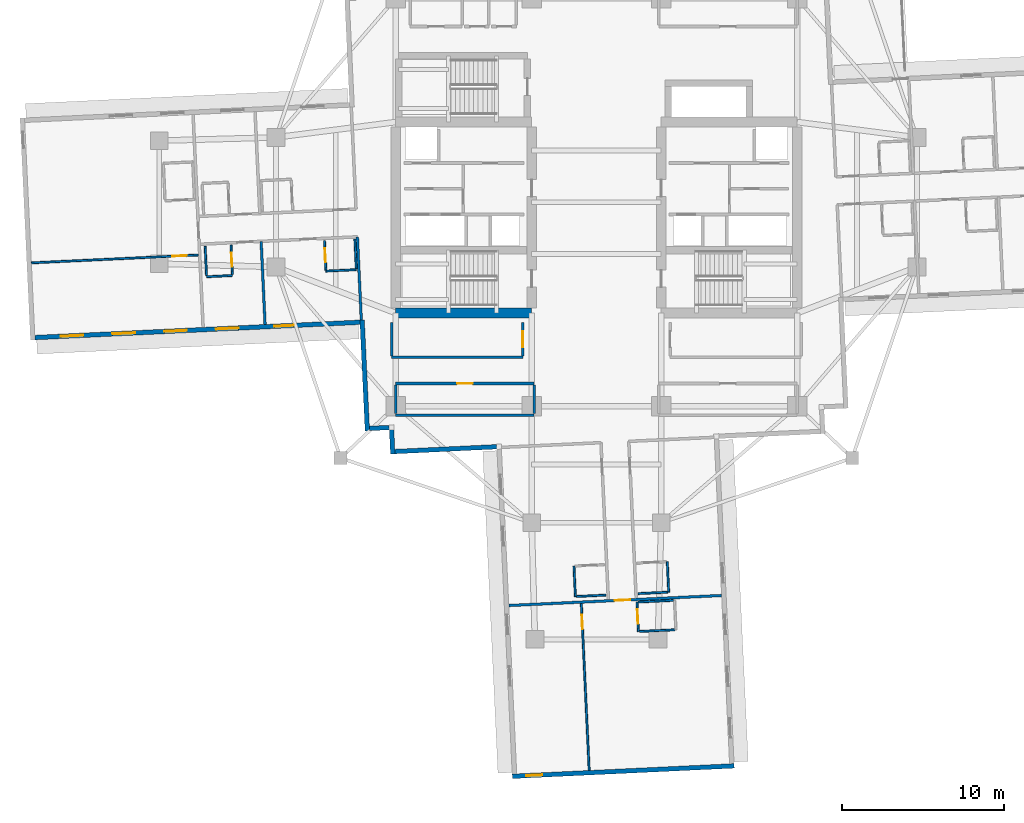
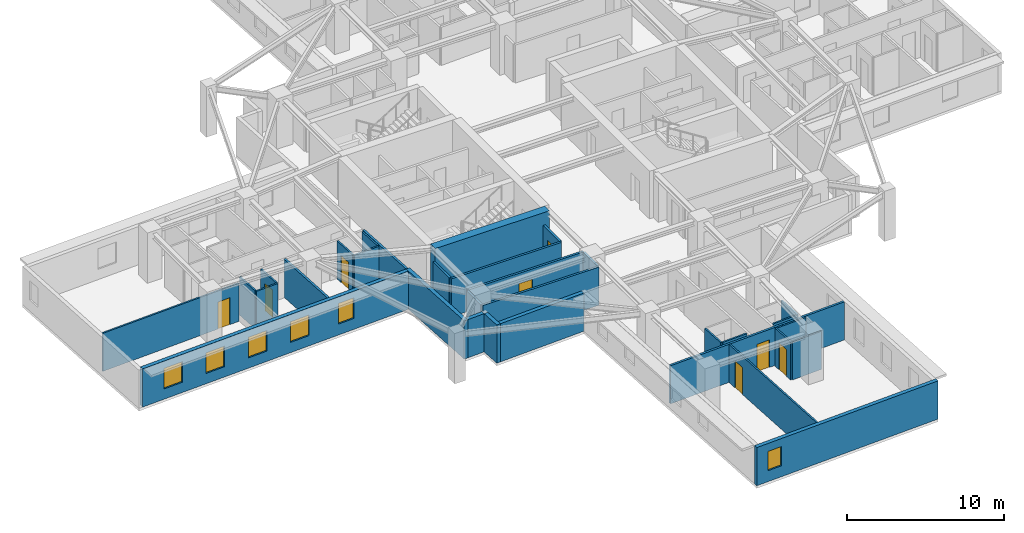
# One storey, part 3 of 14: 32 walls, 8 doors, 6 windows, 14 openings.
"""IFC4 building model written with IfcOpenShell, lengths in metres."""

from ifc_helpers import new_model, si_unit, direction, frame, frame_2d, origin, place, context, subcontext, project, spatial, rectangle, extrude, material, layer, layer_set, type_object, element, fill, save


model = new_model("IFC4")

# Units and contexts
model_context = context("Model", 3, precision=1e-05, world=origin(), true_north=direction((0.0, 1.0)))
body_context = subcontext(model_context, "Body", "Model", "MODEL_VIEW")
ifc_project = project(units=[si_unit("LENGTHUNIT", "METRE"), si_unit("AREAUNIT", "SQUARE_METRE"), si_unit("VOLUMEUNIT", "CUBIC_METRE"), si_unit("PLANEANGLEUNIT", "RADIAN"), si_unit("MASSUNIT", "GRAM", prefix="KILO")], contexts=[model_context])

# Site, building, storey
site_placement = place(None, origin())
site = spatial("IfcSite", under=ifc_project, at=site_placement, CompositionType="ELEMENT")
building_placement = place(site_placement, origin())
building = spatial("IfcBuilding", under=site, at=building_placement, Name="Qingluan Cross Belvedere", CompositionType="ELEMENT")
storey_placement = place(building_placement, frame((0.0, 0.0, 132.0)))
storey = spatial("IfcBuildingStorey", under=building, at=storey_placement, Name="L33", CompositionType="ELEMENT", Elevation=132.0)

# Walls
ifc_material_1 = material(Name="Concrete C60", Category="concrete")
ifc_layer_1 = layer(ifc_material_1, 0.60009765625, Name="CoreShearWall_600")
ifc_layer_set_1 = layer_set([ifc_layer_1], Name="Concrete C60")
wall_type_1 = type_object("IfcWallType", Name="CoreShearWall_600", PredefinedType="SHEAR", material=ifc_layer_set_1)
wall_1_placement = place(storey_placement, frame((-12.39990234375, -6.85009765625, 0.0), z_axis=(0.0, 0.0, 1.0), x_axis=(1.0, 0.0, 0.0)))
element("IfcWall", 1, at=wall_1_placement, inside=storey, type_object=wall_type_1, Name="Split core W shear wall L33-S", PredefinedType="SHEAR", context=body_context, shape_type="SweptSolid", body=[
    extrude(rectangle(XDim=8.39990234375, YDim=0.60009765625, at=frame_2d((4.199951171875, 0.0))), origin(), (0.0, 0.0, 1.0), 3.699951171875),
])
ifc_material_2 = material(Name="Gypsum plasterboard on steel stud acoustic partition", Category="steel")
ifc_layer_2 = layer(ifc_material_2, 0.159912109375, Name="CorridorPartition_160")
ifc_layer_set_2 = layer_set([ifc_layer_2], Name="Gypsum plasterboard on steel stud acoustic partition")
wall_type_2 = type_object("IfcWallType", Name="CorridorPartition_160", PredefinedType="PARTITIONING", material=ifc_layer_set_2)
wall_2_placement = place(storey_placement, frame((-12.39990234375, -13.14990234375, 0.0), z_axis=(0.0, 0.0, 1.0), x_axis=(1.0, 0.0, 0.0)))
element("IfcWall", 2, at=wall_2_placement, inside=storey, type_object=wall_type_2, Name="Partition L33:q_sw:S", PredefinedType="PARTITIONING", context=body_context, shape_type="SweptSolid", body=[
    extrude(rectangle(XDim=8.5498046875, YDim=0.159912109375, at=frame_2d((4.27490234375, 0.0))), origin(), (0.0, 0.0, 1.0), 2.9599609375),
])

# Wall, opening, door
wall_3_placement = place(storey_placement, frame((-12.39990234375, -11.199951171875, 0.0), z_axis=(0.0, 0.0, 1.0), x_axis=(1.0, 0.0, 0.0)))
wall_3 = element("IfcWall", 3, at=wall_3_placement, inside=storey, type_object=wall_type_2, Name="Partition L33:q_sw:N", PredefinedType="PARTITIONING", context=body_context, shape_type="SweptSolid", body=[
    extrude(rectangle(XDim=8.5498046875, YDim=0.159912109375, at=frame_2d((4.27490234375, 0.0))), origin(), (0.0, 0.0, 1.0), 2.9599609375),
])
opening_1_placement = place(wall_3_placement, frame((3.794921875, 0.0, 0.0)))
opening_1 = element("IfcOpeningElement", 4, at=opening_1_placement, cuts=wall_3, Name="Opening GD-10", PredefinedType="OPENING", context=body_context, shape_type="SweptSolid", body=[
    extrude(rectangle(XDim=0.9599609375, YDim=2.14990234375, at=frame_2d((0.47998046875, 1.074951171875))), frame((0.0, 0.08984375, 0.0), z_axis=(0.0, -1.0, 0.0), x_axis=(1.0, 0.0, 0.0)), (0.0, 0.0, 1.0), 0.179931640625),
])
ifc_material_3 = material(Name="Timber oak fire-rated acoustic guestroom door", Category="wood")
door_type_1 = type_object("IfcDoorType", Name="GuestEntryDoor_FD60", OperationType="NOTDEFINED", PredefinedType="DOOR", material=ifc_material_3)
door_1_placement = place(opening_1_placement, origin())
door_1 = element("IfcDoor", 5, at=door_1_placement, inside=storey, type_object=door_type_1, Name="Aromatherapy spa room L33 door", OperationType="SINGLE_SWING_RIGHT", OverallHeight=2.14990234375, OverallWidth=0.9599609375, PredefinedType="DOOR", context=body_context, shape_type="SweptSolid", body=[
    extrude(rectangle(XDim=0.9599609375, YDim=2.14990234375, at=frame_2d((0.47998046875, 1.074951171875))), frame((0.0, 0.02490234375, 0.0), z_axis=(0.0, -1.0, 0.0), x_axis=(1.0, 0.0, 0.0)), (0.0, 0.0, 1.0), 0.050048828125),
])
fill(opening_1, door_1)

# Walls
for number, where, z_axis, x_axis, name in (
    (6, (-12.39990234375, -13.06494140625, 0.0), (0.0, 0.0, 1.0), (0.0, 1.0, 0.0), "Partition L33:q_sw:W"),
    (7, (-3.85009765625, -13.06494140625, 0.0), (0.0, 0.0, 1.0), (0.0, 1.0, 0.0), "Partition L33:q_sw:E"),
):
    element("IfcWall", number, at=place(storey_placement, frame(where, z_axis=z_axis, x_axis=x_axis)), inside=storey, type_object=wall_type_2, Name=name, PredefinedType="PARTITIONING", context=body_context, shape_type="SweptSolid", body=[
        extrude(rectangle(XDim=1.780029296875, YDim=0.159912109375, at=frame_2d((0.89013671875, 0.0))), origin(), (0.0, 0.0, 1.0), 2.9599609375),
    ])
wall_4_placement = place(storey_placement, frame((-12.64990234375, -9.580078125, 0.0), z_axis=(0.0, 0.0, 1.0), x_axis=(1.0, 0.0, 0.0)))
element("IfcWall", 8, at=wall_4_placement, inside=storey, type_object=wall_type_2, Name="Partition L33:rec_st4_w:S", PredefinedType="PARTITIONING", context=body_context, shape_type="SweptSolid", body=[
    extrude(rectangle(XDim=8.099853515625, YDim=0.159912109375, at=frame_2d((4.0498046875, 0.0))), origin(), (0.0, 0.0, 1.0), 2.9599609375),
])
wall_5_placement = place(storey_placement, frame((-12.64990234375, -9.4951171875, 0.0), z_axis=(0.0, 0.0, 1.0), x_axis=(0.0, 1.0, 0.0)))
element("IfcWall", 9, at=wall_5_placement, inside=storey, type_object=wall_type_2, Name="Partition L33:rec_st4_w:W", PredefinedType="PARTITIONING", context=body_context, shape_type="SweptSolid", body=[
    extrude(rectangle(XDim=2.06005859375, YDim=0.159912109375, at=frame_2d((1.030029296875, 0.0))), origin(), (0.0, 0.0, 1.0), 2.9599609375),
])

# Wall, opening, door
wall_6_placement = place(storey_placement, frame((-4.550048828125, -9.4951171875, 0.0), z_axis=(0.0, 0.0, 1.0), x_axis=(0.0, 1.0, 0.0)))
wall_6 = element("IfcWall", 10, at=wall_6_placement, inside=storey, type_object=wall_type_2, Name="Partition L33:rec_st4_w:E", PredefinedType="PARTITIONING", context=body_context, shape_type="SweptSolid", body=[
    extrude(rectangle(XDim=2.06005859375, YDim=0.159912109375, at=frame_2d((1.030029296875, 0.0))), origin(), (0.0, 0.0, 1.0), 2.9599609375),
])
opening_2_placement = place(wall_6_placement, frame((0.550048828125, 0.0, 0.0)))
opening_2 = element("IfcOpeningElement", 11, at=opening_2_placement, cuts=wall_6, Name="Opening GD-10", PredefinedType="OPENING", context=body_context, shape_type="SweptSolid", body=[
    extrude(rectangle(XDim=0.9599609375, YDim=2.14990234375, at=frame_2d((0.47998046875, 1.074951171875))), frame((0.0, 0.08984375, 0.0), z_axis=(0.0, -1.0, 0.0), x_axis=(1.0, 0.0, 0.0)), (0.0, 0.0, 1.0), 0.179931640625),
])
door_2_placement = place(opening_2_placement, origin())
door_2 = element("IfcDoor", 12, at=door_2_placement, inside=storey, type_object=door_type_1, Name="Southwest club reading room L33 door", OperationType="SINGLE_SWING_LEFT", OverallHeight=2.14990234375, OverallWidth=0.9599609375, PredefinedType="DOOR", context=body_context, shape_type="SweptSolid", body=[
    extrude(rectangle(XDim=0.9599609375, YDim=2.14990234375, at=frame_2d((0.47998046875, 1.074951171875))), frame((0.0, 0.02490234375, 0.0), z_axis=(0.0, -1.0, 0.0), x_axis=(1.0, 0.0, 0.0)), (0.0, 0.0, 1.0), 0.050048828125),
])
fill(opening_2, door_2)

# Walls
wall_7_placement = place(storey_placement, frame((-14.765625, -2.137939453125, 0.0), z_axis=(0.0, 0.0, 1.0), x_axis=(0.047095033298, -0.998890413328, 0.0)))
element("IfcWall", 13, at=wall_7_placement, inside=storey, type_object=wall_type_2, Name="Partition L33:W:s1", PredefinedType="PARTITIONING", context=body_context, shape_type="SweptSolid", body=[
    extrude(rectangle(XDim=5.132080078125, YDim=0.159912109375, at=frame_2d((2.56591796875, 0.0))), origin(), (0.0, 0.0, 1.0), 2.9599609375),
])
wall_8_placement = place(storey_placement, frame((-20.708984375, -2.418212890625, 0.0), z_axis=(0.0, 0.0, 1.0), x_axis=(0.047097271264, -0.998890307811, 0.0)))
element("IfcWall", 14, at=wall_8_placement, inside=storey, type_object=wall_type_2, Name="Partition L33:W:d1_0", PredefinedType="PARTITIONING", context=body_context, shape_type="SweptSolid", body=[
    extrude(rectangle(XDim=5.1318359375, YDim=0.159912109375, at=frame_2d((2.56591796875, 0.0))), origin(), (0.0, 0.0, 1.0), 2.9599609375),
])

# Wall, opening, door
wall_9_placement = place(storey_placement, frame((-5.404541015625, -24.912109375, 0.0), z_axis=(0.0, 0.0, 1.0), x_axis=(0.998889967692, 0.047104484326, 0.0)))
wall_9 = element("IfcWall", 15, at=wall_9_placement, inside=storey, type_object=wall_type_2, Name="Partition L33:Scap:in", PredefinedType="PARTITIONING", context=body_context, shape_type="SweptSolid", body=[
    extrude(rectangle(XDim=13.14404296875, YDim=0.159912109375, at=frame_2d((6.572021484375, 0.0))), origin(), (0.0, 0.0, 1.0), 2.9599609375),
])
opening_3_placement = place(wall_9_placement, frame((6.531982421875, 0.0, 0.0)))
opening_3 = element("IfcOpeningElement", 16, at=opening_3_placement, cuts=wall_9, Name="Opening GD-10", PredefinedType="OPENING", context=body_context, shape_type="SweptSolid", body=[
    extrude(rectangle(XDim=0.9599609375, YDim=2.14990234375, at=frame_2d((0.47998046875, 1.074951171875))), frame((0.0, 0.08984375, 0.0), z_axis=(0.0, -1.0, 0.0), x_axis=(1.0, 0.0, 0.0)), (0.0, 0.0, 1.0), 0.179931640625),
])
door_3_placement = place(opening_3_placement, origin())
door_3 = element("IfcDoor", 17, at=door_3_placement, inside=storey, type_object=door_type_1, Name="Horizon corner suite door L33S", OperationType="SINGLE_SWING_LEFT", OverallHeight=2.14990234375, OverallWidth=0.9599609375, PredefinedType="DOOR", context=body_context, shape_type="SweptSolid", body=[
    extrude(rectangle(XDim=0.9599609375, YDim=2.14990234375, at=frame_2d((0.47998046875, 1.074951171875))), frame((0.0, 0.02490234375, 0.0), z_axis=(0.0, -1.0, 0.0), x_axis=(1.0, 0.0, 0.0)), (0.0, 0.0, 1.0), 0.050048828125),
])
fill(opening_3, door_3)

ifc_material_4 = material(Name="Moisture-resistant gypsum board lining")
ifc_layer_3 = layer(ifc_material_4, 0.1201171875, Name="EnsuiteWetPartition_120")
ifc_layer_set_3 = layer_set([ifc_layer_3], Name="Moisture-resistant gypsum board lining")
wall_type_3 = type_object("IfcWallType", Name="EnsuiteWetPartition_120", PredefinedType="PARTITIONING", material=ifc_layer_set_3)
wall_10_placement = place(storey_placement, frame((-16.711181640625, -4.19189453125, 0.0), z_axis=(0.0, 0.0, 1.0), x_axis=(-0.047080807099, 0.998891083954, 0.0)))
wall_10 = element("IfcWall", 18, at=wall_10_placement, inside=storey, type_object=wall_type_3, Name="Partition L33:W:bs1_0", PredefinedType="PARTITIONING", context=body_context, shape_type="SweptSolid", body=[
    extrude(rectangle(XDim=1.820068359375, YDim=0.1201171875, at=frame_2d((0.91015625, 0.0))), origin(), (0.0, 0.0, 1.0), 2.9599609375),
])
opening_4_placement = place(wall_10_placement, frame((0.469970703125, 0.0, 0.0)))
opening_4 = element("IfcOpeningElement", 19, at=opening_4_placement, cuts=wall_10, Name="Opening BD-09", PredefinedType="OPENING", context=body_context, shape_type="SweptSolid", body=[
    extrude(rectangle(XDim=0.8798828125, YDim=2.10009765625, at=frame_2d((0.43994140625, 1.050048828125))), frame((0.0, 0.070068359375, 0.0), z_axis=(0.0, -1.0, 0.0), x_axis=(1.0, 0.0, 0.0)), (0.0, 0.0, 1.0), 0.14013671875),
])
ifc_material_5 = material(Name="Moisture-sealed timber en-suite door", Category="wood")
door_type_2 = type_object("IfcDoorType", Name="BathroomDoor_880", OperationType="NOTDEFINED", PredefinedType="DOOR", material=ifc_material_5)
door_4_placement = place(opening_4_placement, origin())
door_4 = element("IfcDoor", 20, at=door_4_placement, inside=storey, type_object=door_type_2, Name="Bathroom door 3309", OperationType="SINGLE_SWING_LEFT", OverallHeight=2.10009765625, OverallWidth=0.8798828125, PredefinedType="DOOR", context=body_context, shape_type="SweptSolid", body=[
    extrude(rectangle(XDim=0.8798828125, YDim=2.10009765625, at=frame_2d((0.43994140625, 1.050048828125))), frame((0.0, 0.02490234375, 0.0), z_axis=(0.0, -1.0, 0.0), x_axis=(1.0, 0.0, 0.0)), (0.0, 0.0, 1.0), 0.050048828125),
])
fill(opening_4, door_4)

# Walls
wall_11_placement = place(storey_placement, frame((-14.833251953125, -4.103271484375, 0.0), z_axis=(0.0, 0.0, 1.0), x_axis=(-0.047087116047, 0.998890786574, 0.0)))
element("IfcWall", 21, at=wall_11_placement, inside=storey, type_object=wall_type_3, Name="Partition L33:W:bw1_0", PredefinedType="PARTITIONING", context=body_context, shape_type="SweptSolid", body=[
    extrude(rectangle(XDim=1.81982421875, YDim=0.1201171875, at=frame_2d((0.909912109375, 0.0))), origin(), (0.0, 0.0, 1.0), 2.9599609375),
])
wall_12_placement = place(storey_placement, frame((-14.830078125, -4.168212890625, 0.0), z_axis=(0.0, 0.0, 1.0), x_axis=(-0.998888319371, -0.047139425368, 0.0)))
element("IfcWall", 22, at=wall_12_placement, inside=storey, type_object=wall_type_3, Name="Partition L33:W:bc1_0", PredefinedType="PARTITIONING", context=body_context, shape_type="SweptSolid", body=[
    extrude(rectangle(XDim=1.880126953125, YDim=0.1201171875, at=frame_2d((0.93994140625, 0.0))), origin(), (0.0, 0.0, 1.0), 2.9599609375),
])

# Wall, opening, door
wall_13_placement = place(storey_placement, frame((-22.484619140625, -4.464111328125, 0.0), z_axis=(0.0, 0.0, 1.0), x_axis=(-0.047080807099, 0.998891083954, 0.0)))
wall_13 = element("IfcWall", 23, at=wall_13_placement, inside=storey, type_object=wall_type_3, Name="Partition L33:W:bs1_1", PredefinedType="PARTITIONING", context=body_context, shape_type="SweptSolid", body=[
    extrude(rectangle(XDim=1.820068359375, YDim=0.1201171875, at=frame_2d((0.91015625, 0.0))), origin(), (0.0, 0.0, 1.0), 2.9599609375),
])
opening_5_placement = place(wall_13_placement, frame((0.469970703125, 0.0, 0.0)))
opening_5 = element("IfcOpeningElement", 24, at=opening_5_placement, cuts=wall_13, Name="Opening BD-09", PredefinedType="OPENING", context=body_context, shape_type="SweptSolid", body=[
    extrude(rectangle(XDim=0.8798828125, YDim=2.10009765625, at=frame_2d((0.43994140625, 1.050048828125))), frame((0.0, 0.070068359375, 0.0), z_axis=(0.0, -1.0, 0.0), x_axis=(1.0, 0.0, 0.0)), (0.0, 0.0, 1.0), 0.14013671875),
])
door_5_placement = place(opening_5_placement, origin())
door_5 = element("IfcDoor", 25, at=door_5_placement, inside=storey, type_object=door_type_2, Name="Bathroom door 3310", OperationType="SINGLE_SWING_LEFT", OverallHeight=2.10009765625, OverallWidth=0.8798828125, PredefinedType="DOOR", context=body_context, shape_type="SweptSolid", body=[
    extrude(rectangle(XDim=0.8798828125, YDim=2.10009765625, at=frame_2d((0.43994140625, 1.050048828125))), frame((0.0, 0.02490234375, 0.0), z_axis=(0.0, -1.0, 0.0), x_axis=(1.0, 0.0, 0.0)), (0.0, 0.0, 1.0), 0.050048828125),
])
fill(opening_5, door_5)

# Walls
wall_14_placement = place(storey_placement, frame((-24.0830078125, -4.53955078125, 0.0), z_axis=(0.0, 0.0, 1.0), x_axis=(-0.047080807099, 0.998891083954, 0.0)))
element("IfcWall", 26, at=wall_14_placement, inside=storey, type_object=wall_type_3, Name="Partition L33:W:bw1_1", PredefinedType="PARTITIONING", context=body_context, shape_type="SweptSolid", body=[
    extrude(rectangle(XDim=1.820068359375, YDim=0.1201171875, at=frame_2d((0.91015625, 0.0))), origin(), (0.0, 0.0, 1.0), 2.9599609375),
])
wall_15_placement = place(storey_placement, frame((-22.481689453125, -4.529052734375, 0.0), z_axis=(0.0, 0.0, 1.0), x_axis=(-0.998887730798, -0.047151895633, 0.0)))
element("IfcWall", 27, at=wall_15_placement, inside=storey, type_object=wall_type_3, Name="Partition L33:W:bc1_1", PredefinedType="PARTITIONING", context=body_context, shape_type="SweptSolid", body=[
    extrude(rectangle(XDim=1.599853515625, YDim=0.1201171875, at=frame_2d((0.7998046875, 0.0))), origin(), (0.0, 0.0, 1.0), 2.9599609375),
])
wall_16_placement = place(storey_placement, frame((2.581787109375, -24.17529296875, 0.0), z_axis=(0.0, 0.0, 1.0), x_axis=(0.998890786574, 0.047087116047, 0.0)))
element("IfcWall", 28, at=wall_16_placement, inside=storey, type_object=wall_type_3, Name="Partition L33:S:bw0_0", PredefinedType="PARTITIONING", context=body_context, shape_type="SweptSolid", body=[
    extrude(rectangle(XDim=1.81982421875, YDim=0.1201171875, at=frame_2d((0.909912109375, 0.0))), origin(), (0.0, 0.0, 1.0), 2.9599609375),
])
wall_17_placement = place(storey_placement, frame((4.3759765625, -22.20849609375, 0.0), z_axis=(0.0, 0.0, 1.0), x_axis=(0.047139425368, -0.998888319371, 0.0)))
element("IfcWall", 29, at=wall_17_placement, inside=storey, type_object=wall_type_3, Name="Partition L33:S:bn0_0", PredefinedType="PARTITIONING", context=body_context, shape_type="SweptSolid", body=[
    extrude(rectangle(XDim=1.880126953125, YDim=0.1201171875, at=frame_2d((0.93994140625, 0.0))), origin(), (0.0, 0.0, 1.0), 2.9599609375),
])
wall_18_placement = place(storey_placement, frame((-1.234130859375, -24.355224609375, 0.0), z_axis=(0.0, 0.0, 1.0), x_axis=(0.998884766924, 0.047214641863, 0.0)))
element("IfcWall", 30, at=wall_18_placement, inside=storey, type_object=wall_type_3, Name="Partition L33:S:bw1_0", PredefinedType="PARTITIONING", context=body_context, shape_type="SweptSolid", body=[
    extrude(rectangle(XDim=1.820068359375, YDim=0.1201171875, at=frame_2d((0.91015625, 0.0))), origin(), (0.0, 0.0, 1.0), 2.9599609375),
])
wall_19_placement = place(storey_placement, frame((-1.3876953125, -22.480224609375, 0.0), z_axis=(0.0, 0.0, 1.0), x_axis=(0.047139425368, -0.998888319371, 0.0)))
element("IfcWall", 31, at=wall_19_placement, inside=storey, type_object=wall_type_3, Name="Partition L33:S:bc1_0", PredefinedType="PARTITIONING", context=body_context, shape_type="SweptSolid", body=[
    extrude(rectangle(XDim=1.880126953125, YDim=0.1201171875, at=frame_2d((0.93994140625, 0.0))), origin(), (0.0, 0.0, 1.0), 2.9599609375),
])

# Wall, opening, door
wall_20_placement = place(storey_placement, frame((-24.593505859375, -3.26220703125, 0.0), z_axis=(0.0, 0.0, 1.0), x_axis=(-0.998890681588, -0.047089343138, 0.0)))
wall_20 = element("IfcWall", 32, at=wall_20_placement, inside=storey, type_object=wall_type_3, Name="Partition L33:Wcap:m2", PredefinedType="PARTITIONING", context=body_context, shape_type="SweptSolid", body=[
    extrude(rectangle(XDim=10.312255859375, YDim=0.1201171875, at=frame_2d((5.15625, 0.0))), origin(), (0.0, 0.0, 1.0), 2.9599609375),
])
opening_6_placement = place(wall_20_placement, frame((0.699951171875, 0.0, 0.0)))
opening_6 = element("IfcOpeningElement", 33, at=opening_6_placement, cuts=wall_20, Name="Opening BD-89", PredefinedType="OPENING", context=body_context, shape_type="SweptSolid", body=[
    extrude(rectangle(XDim=0.89990234375, YDim=2.10009765625, at=frame_2d((0.449951171875, 1.050048828125))), frame((0.0, 0.070068359375, 0.0), z_axis=(0.0, -1.0, 0.0), x_axis=(1.0, 0.0, 0.0)), (0.0, 0.0, 1.0), 0.14013671875),
])
ifc_material_6 = material(Name="Timber acoustic study door", Category="wood")
door_type_3 = type_object("IfcDoorType", Name="SuiteStudyDoor_900", OperationType="NOTDEFINED", PredefinedType="DOOR", material=ifc_material_6)
door_6_placement = place(opening_6_placement, origin())
door_6 = element("IfcDoor", 34, at=door_6_placement, inside=storey, type_object=door_type_3, Name="Suite private study door L33W", OperationType="SINGLE_SWING_LEFT", OverallHeight=2.10009765625, OverallWidth=0.89990234375, PredefinedType="DOOR", context=body_context, shape_type="SweptSolid", body=[
    extrude(rectangle(XDim=0.89990234375, YDim=2.10009765625, at=frame_2d((0.449951171875, 1.050048828125))), frame((0.0, 0.02490234375, 0.0), z_axis=(0.0, -1.0, 0.0), x_axis=(1.0, 0.0, 0.0)), (0.0, 0.0, 1.0), 0.050048828125),
])
fill(opening_6, door_6)

wall_21_placement = place(storey_placement, frame((-0.93310546875, -24.79150390625, 0.0), z_axis=(0.0, 0.0, 1.0), x_axis=(0.047090456762, -0.998890629089, 0.0)))
wall_21 = element("IfcWall", 35, at=wall_21_placement, inside=storey, type_object=wall_type_3, Name="Partition L33:Scap:m2", PredefinedType="PARTITIONING", context=body_context, shape_type="SweptSolid", body=[
    extrude(rectangle(XDim=10.31201171875, YDim=0.1201171875, at=frame_2d((5.156005859375, 0.0))), origin(), (0.0, 0.0, 1.0), 2.9599609375),
])
opening_7_placement = place(wall_21_placement, frame((0.699951171875, 0.0, 0.0)))
opening_7 = element("IfcOpeningElement", 36, at=opening_7_placement, cuts=wall_21, Name="Opening BD-89", PredefinedType="OPENING", context=body_context, shape_type="SweptSolid", body=[
    extrude(rectangle(XDim=0.89990234375, YDim=2.10009765625, at=frame_2d((0.449951171875, 1.050048828125))), frame((0.0, 0.070068359375, 0.0), z_axis=(0.0, -1.0, 0.0), x_axis=(1.0, 0.0, 0.0)), (0.0, 0.0, 1.0), 0.14013671875),
])
door_7_placement = place(opening_7_placement, origin())
door_7 = element("IfcDoor", 37, at=door_7_placement, inside=storey, type_object=door_type_3, Name="Suite private study door L33S", OperationType="SINGLE_SWING_LEFT", OverallHeight=2.10009765625, OverallWidth=0.89990234375, PredefinedType="DOOR", context=body_context, shape_type="SweptSolid", body=[
    extrude(rectangle(XDim=0.89990234375, YDim=2.10009765625, at=frame_2d((0.449951171875, 1.050048828125))), frame((0.0, 0.02490234375, 0.0), z_axis=(0.0, -1.0, 0.0), x_axis=(1.0, 0.0, 0.0)), (0.0, 0.0, 1.0), 0.050048828125),
])
fill(opening_7, door_7)

wall_22_placement = place(storey_placement, frame((2.50634765625, -24.699462890625, 0.0), z_axis=(0.0, 0.0, 1.0), x_axis=(0.047087116047, -0.998890786574, 0.0)))
wall_22 = element("IfcWall", 38, at=wall_22_placement, inside=storey, type_object=wall_type_3, Name="Partition L33:Scap:b2s", PredefinedType="PARTITIONING", context=body_context, shape_type="SweptSolid", body=[
    extrude(rectangle(XDim=1.81982421875, YDim=0.1201171875, at=frame_2d((0.909912109375, 0.0))), origin(), (0.0, 0.0, 1.0), 2.9599609375),
])
opening_8_placement = place(wall_22_placement, frame((0.449951171875, 0.0, 0.0)))
opening_8 = element("IfcOpeningElement", 39, at=opening_8_placement, cuts=wall_22, Name="Opening BD-09", PredefinedType="OPENING", context=body_context, shape_type="SweptSolid", body=[
    extrude(rectangle(XDim=0.8798828125, YDim=2.10009765625, at=frame_2d((0.43994140625, 1.050048828125))), frame((0.0, 0.070068359375, 0.0), z_axis=(0.0, -1.0, 0.0), x_axis=(1.0, 0.0, 0.0)), (0.0, 0.0, 1.0), 0.14013671875),
])
door_8_placement = place(opening_8_placement, origin())
door_8 = element("IfcDoor", 40, at=door_8_placement, inside=storey, type_object=door_type_2, Name="En-suite bathroom door L33S", OperationType="SINGLE_SWING_RIGHT", OverallHeight=2.10009765625, OverallWidth=0.8798828125, PredefinedType="DOOR", context=body_context, shape_type="SweptSolid", body=[
    extrude(rectangle(XDim=0.8798828125, YDim=2.10009765625, at=frame_2d((0.43994140625, 1.050048828125))), frame((0.0, 0.02490234375, 0.0), z_axis=(0.0, -1.0, 0.0), x_axis=(1.0, 0.0, 0.0)), (0.0, 0.0, 1.0), 0.050048828125),
])
fill(opening_8, door_8)

# Walls
for number, where, z_axis, x_axis, name in (
    (41, (2.576171875, -24.696044921875, 0.0), (0.0, 0.0, 1.0), (0.998893331673, 0.047033094092, 0.0), "Partition L33:Scap:b2a"),
    (42, (2.661865234375, -26.513916015625, 0.0), (0.0, 0.0, 1.0), (0.998893331673, 0.047033094092, 0.0), "Partition L33:Scap:b2n"),
):
    element("IfcWall", number, at=place(storey_placement, frame(where, z_axis=z_axis, x_axis=x_axis)), inside=storey, type_object=wall_type_3, Name=name, PredefinedType="PARTITIONING", context=body_context, shape_type="SweptSolid", body=[
        extrude(rectangle(XDim=2.18017578125, YDim=0.1201171875, at=frame_2d((1.090087890625, 0.0))), origin(), (0.0, 0.0, 1.0), 2.9599609375),
    ])

# Wall, openings, windows
ifc_material_7 = material(Name="Precast concrete C45", Category="concrete")
ifc_layer_4 = layer(ifc_material_7, 0.280029296875, Name="PrecastFacadeWall_280")
ifc_layer_set_4 = layer_set([ifc_layer_4], Name="Precast concrete C45")
wall_type_4 = type_object("IfcWallType", Name="PrecastFacadeWall_280", PredefinedType="STANDARD", material=ifc_layer_set_4)
wall_23_placement = place(storey_placement, frame((-34.6845703125, -8.363037109375, 0.0), z_axis=(0.0, 0.0, 1.0), x_axis=(0.998890015344, 0.047103473814, 0.0)))
wall_23 = element("IfcWall", 43, at=wall_23_placement, inside=storey, type_object=wall_type_4, Name="Facade wall L33-WB", PredefinedType="STANDARD", context=body_context, shape_type="SweptSolid", body=[
    extrude(rectangle(XDim=20.099853515625, YDim=0.280029296875, at=frame_2d((10.0498046875, 0.0))), origin(), (0.0, 0.0, 1.0), 2.969970703125),
])
opening_9_placement = place(wall_23_placement, frame((1.60009765625, 0.0, 0.800048828125)))
opening_9 = element("IfcOpeningElement", 44, at=opening_9_placement, cuts=wall_23, Name="Opening W-01", PredefinedType="OPENING", context=body_context, shape_type="SweptSolid", body=[
    extrude(rectangle(XDim=1.39990234375, YDim=1.60009765625, at=frame_2d((0.699951171875, 0.800048828125))), frame((0.0, 0.14990234375, 0.0), z_axis=(0.0, -1.0, 0.0), x_axis=(1.0, 0.0, 0.0)), (0.0, 0.0, 1.0), 0.300048828125),
])
opening_10_placement = place(wall_23_placement, frame((4.800048828125, 0.0, 0.800048828125)))
opening_10 = element("IfcOpeningElement", 45, at=opening_10_placement, cuts=wall_23, Name="Opening W-01", PredefinedType="OPENING", context=body_context, shape_type="SweptSolid", body=[
    extrude(rectangle(XDim=1.39990234375, YDim=1.60009765625, at=frame_2d((0.699951171875, 0.800048828125))), frame((0.0, 0.14990234375, 0.0), z_axis=(0.0, -1.0, 0.0), x_axis=(1.0, 0.0, 0.0)), (0.0, 0.0, 1.0), 0.300048828125),
])
opening_11_placement = place(wall_23_placement, frame((8.0, 0.0, 0.800048828125)))
opening_11 = element("IfcOpeningElement", 46, at=opening_11_placement, cuts=wall_23, Name="Opening W-01", PredefinedType="OPENING", context=body_context, shape_type="SweptSolid", body=[
    extrude(rectangle(XDim=1.39990234375, YDim=1.60009765625, at=frame_2d((0.699951171875, 0.800048828125))), frame((0.0, 0.14990234375, 0.0), z_axis=(0.0, -1.0, 0.0), x_axis=(1.0, 0.0, 0.0)), (0.0, 0.0, 1.0), 0.300048828125),
])
opening_12_placement = place(wall_23_placement, frame((11.199951171875, 0.0, 0.800048828125)))
opening_12 = element("IfcOpeningElement", 47, at=opening_12_placement, cuts=wall_23, Name="Opening W-01", PredefinedType="OPENING", context=body_context, shape_type="SweptSolid", body=[
    extrude(rectangle(XDim=1.39990234375, YDim=1.60009765625, at=frame_2d((0.699951171875, 0.800048828125))), frame((0.0, 0.14990234375, 0.0), z_axis=(0.0, -1.0, 0.0), x_axis=(1.0, 0.0, 0.0)), (0.0, 0.0, 1.0), 0.300048828125),
])
opening_13_placement = place(wall_23_placement, frame((14.799072265625, 0.0, 0.85009765625)))
opening_13 = element("IfcOpeningElement", 48, at=opening_13_placement, cuts=wall_23, Name="Opening W-02", PredefinedType="OPENING", context=body_context, shape_type="SweptSolid", body=[
    extrude(rectangle(XDim=1.199951171875, YDim=1.60009765625, at=frame_2d((0.60009765625, 0.800048828125))), frame((0.0, 0.14990234375, 0.0), z_axis=(0.0, -1.0, 0.0), x_axis=(1.0, 0.0, 0.0)), (0.0, 0.0, 1.0), 0.300048828125),
])
ifc_material_8 = material(Name="Thermally broken triple Low-E glass in aluminium frame", Category="aluminium")
window_type_1 = type_object("IfcWindowType", Name="TriRibbonWin_1200x1600", PartitioningType="SINGLE_PANEL", PredefinedType="WINDOW", material=ifc_material_8)
window_1_placement = place(opening_13_placement, origin())
window_1 = element("IfcWindow", 49, at=window_1_placement, inside=storey, type_object=window_type_1, Name="Deluxe guest room 3309 daylight window", OverallHeight=1.60009765625, OverallWidth=1.199951171875, PartitioningType="SINGLE_PANEL", PredefinedType="WINDOW", context=body_context, shape_type="SweptSolid", body=[
    extrude(rectangle(XDim=1.199951171875, YDim=1.60009765625, at=frame_2d((0.60009765625, 0.800048828125))), frame((0.0, 0.030029296875, 0.0), z_axis=(0.0, -1.0, 0.0), x_axis=(1.0, 0.0, 0.0)), (0.0, 0.0, 1.0), 0.06005859375),
])
fill(opening_13, window_1)
ifc_material_9 = material(Name="Thermally broken triple Low-E glass in aluminium frame", Category="aluminium")
window_type_2 = type_object("IfcWindowType", Name="TriRibbonWin_1400x1600", PartitioningType="SINGLE_PANEL", PredefinedType="WINDOW", material=ifc_material_9)
window_2_placement = place(opening_9_placement, origin())
window_2 = element("IfcWindow", 50, at=window_2_placement, inside=storey, type_object=window_type_2, Name="Ribbon window L33-WB-1", OverallHeight=1.60009765625, OverallWidth=1.39990234375, PartitioningType="SINGLE_PANEL", PredefinedType="WINDOW", context=body_context, shape_type="SweptSolid", body=[
    extrude(rectangle(XDim=1.39990234375, YDim=1.60009765625, at=frame_2d((0.699951171875, 0.800048828125))), frame((0.0, 0.030029296875, 0.0), z_axis=(0.0, -1.0, 0.0), x_axis=(1.0, 0.0, 0.0)), (0.0, 0.0, 1.0), 0.06005859375),
])
fill(opening_9, window_2)
window_3_placement = place(opening_10_placement, origin())
window_3 = element("IfcWindow", 51, at=window_3_placement, inside=storey, type_object=window_type_2, Name="Ribbon window L33-WB-2", OverallHeight=1.60009765625, OverallWidth=1.39990234375, PartitioningType="SINGLE_PANEL", PredefinedType="WINDOW", context=body_context, shape_type="SweptSolid", body=[
    extrude(rectangle(XDim=1.39990234375, YDim=1.60009765625, at=frame_2d((0.699951171875, 0.800048828125))), frame((0.0, 0.030029296875, 0.0), z_axis=(0.0, -1.0, 0.0), x_axis=(1.0, 0.0, 0.0)), (0.0, 0.0, 1.0), 0.06005859375),
])
fill(opening_10, window_3)
window_4_placement = place(opening_11_placement, origin())
window_4 = element("IfcWindow", 52, at=window_4_placement, inside=storey, type_object=window_type_2, Name="Ribbon window L33-WB-3", OverallHeight=1.60009765625, OverallWidth=1.39990234375, PartitioningType="SINGLE_PANEL", PredefinedType="WINDOW", context=body_context, shape_type="SweptSolid", body=[
    extrude(rectangle(XDim=1.39990234375, YDim=1.60009765625, at=frame_2d((0.699951171875, 0.800048828125))), frame((0.0, 0.030029296875, 0.0), z_axis=(0.0, -1.0, 0.0), x_axis=(1.0, 0.0, 0.0)), (0.0, 0.0, 1.0), 0.06005859375),
])
fill(opening_11, window_4)
window_5_placement = place(opening_12_placement, origin())
window_5 = element("IfcWindow", 53, at=window_5_placement, inside=storey, type_object=window_type_2, Name="Ribbon window L33-WB-4", OverallHeight=1.60009765625, OverallWidth=1.39990234375, PartitioningType="SINGLE_PANEL", PredefinedType="WINDOW", context=body_context, shape_type="SweptSolid", body=[
    extrude(rectangle(XDim=1.39990234375, YDim=1.60009765625, at=frame_2d((0.699951171875, 0.800048828125))), frame((0.0, 0.030029296875, 0.0), z_axis=(0.0, -1.0, 0.0), x_axis=(1.0, 0.0, 0.0)), (0.0, 0.0, 1.0), 0.06005859375),
])
fill(opening_12, window_5)

# Wall, opening, window
wall_24_placement = place(storey_placement, frame((-5.1953125, -35.464111328125, 0.0), z_axis=(0.0, 0.0, 1.0), x_axis=(0.998890092147, 0.047101845086, 0.0)))
wall_24 = element("IfcWall", 54, at=wall_24_placement, inside=storey, type_object=wall_type_4, Name="Arm tip precast facade wall L33-S", PredefinedType="STANDARD", context=body_context, shape_type="SweptSolid", body=[
    extrude(rectangle(XDim=13.719970703125, YDim=0.280029296875, at=frame_2d((6.85986328125, 0.0))), origin(), (0.0, 0.0, 1.0), 2.969970703125),
])
opening_14_placement = place(wall_24_placement, frame((0.85009765625, 0.0, 0.85009765625)))
opening_14 = element("IfcOpeningElement", 55, at=opening_14_placement, cuts=wall_24, Name="Opening W-03", PredefinedType="OPENING", context=body_context, shape_type="SweptSolid", body=[
    extrude(rectangle(XDim=1.0, YDim=1.5, at=frame_2d((0.5, 0.75))), frame((0.0, 0.14990234375, 0.0), z_axis=(0.0, -1.0, 0.0), x_axis=(1.0, 0.0, 0.0)), (0.0, 0.0, 1.0), 0.300048828125),
])
ifc_material_10 = material(Name="Thermally broken triple Low-E glass in aluminium frame", Category="aluminium")
window_type_3 = type_object("IfcWindowType", Name="TriApexWin_1000x1500", PartitioningType="SINGLE_PANEL", PredefinedType="WINDOW", material=ifc_material_10)
window_6_placement = place(opening_14_placement, origin())
window_6 = element("IfcWindow", 56, at=window_6_placement, inside=storey, type_object=window_type_3, Name="Arm tip triangular window L33-S", OverallHeight=1.5, OverallWidth=1.0, PartitioningType="SINGLE_PANEL", PredefinedType="WINDOW", context=body_context, shape_type="SweptSolid", body=[
    extrude(rectangle(XDim=1.0, YDim=1.5, at=frame_2d((0.5, 0.75))), frame((0.0, 0.030029296875, 0.0), z_axis=(0.0, -1.0, 0.0), x_axis=(1.0, 0.0, 0.0)), (0.0, 0.0, 1.0), 0.06005859375),
])
fill(opening_14, window_6)

# Walls
wall_25_placement = place(storey_placement, frame((-14.4736328125, -7.27001953125, 0.0), z_axis=(0.0, 0.0, 1.0), x_axis=(0.04712043756, -0.998889215261, 0.0)))
element("IfcWall", 57, at=wall_25_placement, inside=storey, type_object=wall_type_4, Name="Corner wall L33-SW1", PredefinedType="STANDARD", context=body_context, shape_type="SweptSolid", body=[
    extrude(rectangle(XDim=6.85986328125, YDim=0.280029296875, at=frame_2d((3.429931640625, 0.0))), origin(), (0.0, 0.0, 1.0), 2.969970703125),
])
wall_26_placement = place(storey_placement, frame((-14.01708984375, -13.975830078125, 0.0), z_axis=(0.0, 0.0, 1.0), x_axis=(0.998883930236, 0.047232339719, 0.0)))
element("IfcWall", 58, at=wall_26_placement, inside=storey, type_object=wall_type_4, Name="Corner wall L33-SW2", PredefinedType="STANDARD", context=body_context, shape_type="SweptSolid", body=[
    extrude(rectangle(XDim=1.219970703125, YDim=0.280029296875, at=frame_2d((0.60986328125, 0.0))), origin(), (0.0, 0.0, 1.0), 2.969970703125),
])
wall_27_placement = place(storey_placement, frame((-12.652099609375, -14.051513671875, 0.0), z_axis=(0.0, 0.0, 1.0), x_axis=(0.047039284441, -0.99889304018, 0.0)))
element("IfcWall", 59, at=wall_27_placement, inside=storey, type_object=wall_type_4, Name="Corner wall L33-SW3", PredefinedType="STANDARD", context=body_context, shape_type="SweptSolid", body=[
    extrude(rectangle(XDim=1.5, YDim=0.280029296875, at=frame_2d((0.75, 0.0))), origin(), (0.0, 0.0, 1.0), 2.969970703125),
])
wall_28_placement = place(storey_placement, frame((-12.4482421875, -15.403564453125, 0.0), z_axis=(0.0, 0.0, 1.0), x_axis=(0.998889082162, 0.047123258997, 0.0)))
element("IfcWall", 60, at=wall_28_placement, inside=storey, type_object=wall_type_4, Name="Corner wall L33-SW4", PredefinedType="STANDARD", context=body_context, shape_type="SweptSolid", body=[
    extrude(rectangle(XDim=6.300048828125, YDim=0.280029296875, at=frame_2d((3.14990234375, 0.0))), origin(), (0.0, 0.0, 1.0), 2.969970703125),
])

save(model, "model.ifc")
